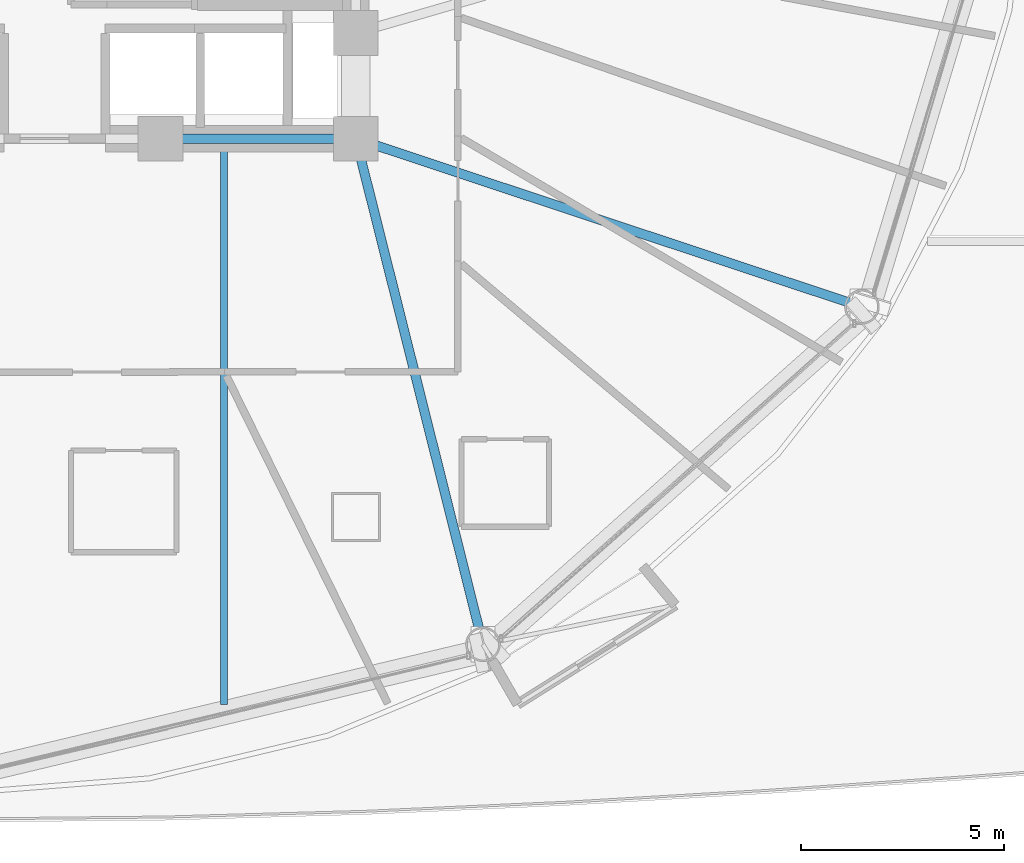
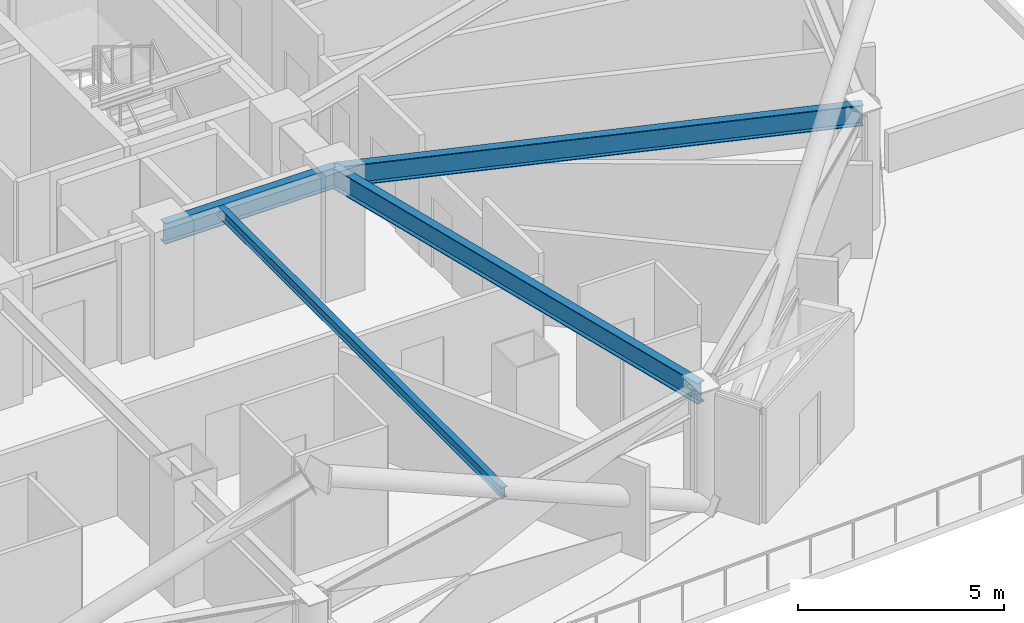
# One storey, part 8 of 27: 4 beams.
"""IFC4 building model written with IfcOpenShell, lengths in metres."""

from ifc_helpers import new_model, si_unit, direction, frame, origin, origin_2d, place, context, subcontext, project, spatial, i_section, extrude, material, material_profile, profile_set, type_object, element, save


model = new_model("IFC4")

# Units and contexts
model_context = context("Model", 3, precision=1e-05, world=origin(), true_north=direction((0.0, 1.0)))
body_context = subcontext(model_context, "Body", "Model", "MODEL_VIEW")
ifc_project = project(units=[si_unit("LENGTHUNIT", "METRE"), si_unit("AREAUNIT", "SQUARE_METRE"), si_unit("VOLUMEUNIT", "CUBIC_METRE"), si_unit("PLANEANGLEUNIT", "RADIAN"), si_unit("MASSUNIT", "GRAM", prefix="KILO")], contexts=[model_context])

# Site, building, storey
site_placement = place(None, origin())
site = spatial("IfcSite", under=ifc_project, at=site_placement, CompositionType="ELEMENT")
building_placement = place(site_placement, origin())
building = spatial("IfcBuilding", under=site, at=building_placement, Name="Vantalir Tower", CompositionType="ELEMENT")
storey_placement = place(building_placement, frame((0.0, 0.0, 27.0)))
storey = spatial("IfcBuildingStorey", under=building, at=storey_placement, Name="L05", CompositionType="ELEMENT", Elevation=27.0)

# Beams
ifc_material = material(Name="Steel S355", Category="steel")
ifc_material_profile_1 = material_profile(ifc_material, i_section(OverallWidth=0.166015625, OverallDepth=0.306884765625, WebThickness=0.006591796875, FlangeThickness=0.01171875, at=origin_2d()), Name="Steel S355")
ifc_profile_set_1 = profile_set([ifc_material_profile_1], Name="Steel S355")
beam_type_1 = type_object("IfcBeamType", Name="BM-JS-305x165", PredefinedType="JOIST", material=ifc_profile_set_1)
beam_1_placement = place(storey_placement, frame((37.862060546875, 3.89892578125, 3.416015625), z_axis=(0.0, 1.0, 0.0), x_axis=(-1.0, 0.0, 0.0)))
element("IfcBeam", 1, at=beam_1_placement, inside=storey, type_object=beam_type_1, Name="L05 Composite Trim Joist 02", PredefinedType="JOIST", context=body_context, shape_type="SweptSolid", body=[
    extrude(i_section(OverallWidth=0.166015625, OverallDepth=0.306884765625, WebThickness=0.006591796875, FlangeThickness=0.01171875, at=origin_2d()), origin(), (0.0, 0.0, 1.0), 13.85595703125),
])
ifc_material_profile_2 = material_profile(ifc_material, i_section(OverallWidth=0.22998046875, OverallDepth=0.616943359375, WebThickness=0.01318359375, FlangeThickness=0.022216796875, at=origin_2d()), Name="Steel S355")
ifc_profile_set_2 = profile_set([ifc_material_profile_2], Name="Steel S355")
beam_type_2 = type_object("IfcBeamType", Name="BM-RB-610x229", PredefinedType="BEAM", material=ifc_profile_set_2)
beam_2_placement = place(storey_placement, frame((36.300048828125, 17.800048828125, 3.261962890625), z_axis=(1.0, 0.0, 0.0), x_axis=(0.0, 1.0, 0.0)))
element("IfcBeam", 2, at=beam_2_placement, inside=storey, type_object=beam_type_2, Name="L05 Core Coupling Girder 04", PredefinedType="BEAM", context=body_context, shape_type="SweptSolid", body=[
    extrude(i_section(OverallWidth=0.22998046875, OverallDepth=0.616943359375, WebThickness=0.01318359375, FlangeThickness=0.022216796875, at=origin_2d()), origin(), (0.0, 0.0, 1.0), 4.800048828125),
])
beam_3_placement = place(storey_placement, frame((44.22509765625, 5.3720703125, 3.261962890625), z_axis=(-0.24385779031, 0.969811001229, 0.0), x_axis=(-0.969811001229, -0.24385779031, 0.0)))
element("IfcBeam", 3, at=beam_3_placement, inside=storey, type_object=beam_type_2, Name="L05 Radial Floor Beam 11", PredefinedType="BEAM", context=body_context, shape_type="SweptSolid", body=[
    extrude(i_section(OverallWidth=0.22998046875, OverallDepth=0.616943359375, WebThickness=0.01318359375, FlangeThickness=0.022216796875, at=origin_2d()), origin(), (0.0, 0.0, 1.0), 12.81494140625),
])
beam_4_placement = place(storey_placement, frame((53.5400390625, 13.66796875, 3.261962890625), z_axis=(-0.9490161576, 0.315227429984, 0.0), x_axis=(-0.315227429984, -0.9490161576, 0.0)))
element("IfcBeam", 4, at=beam_4_placement, inside=storey, type_object=beam_type_2, Name="L05 Radial Floor Beam 12", PredefinedType="BEAM", context=body_context, shape_type="SweptSolid", body=[
    extrude(i_section(OverallWidth=0.22998046875, OverallDepth=0.616943359375, WebThickness=0.01318359375, FlangeThickness=0.022216796875, at=origin_2d()), origin(), (0.0, 0.0, 1.0), 13.108154296875),
])

save(model, "model.ifc")
